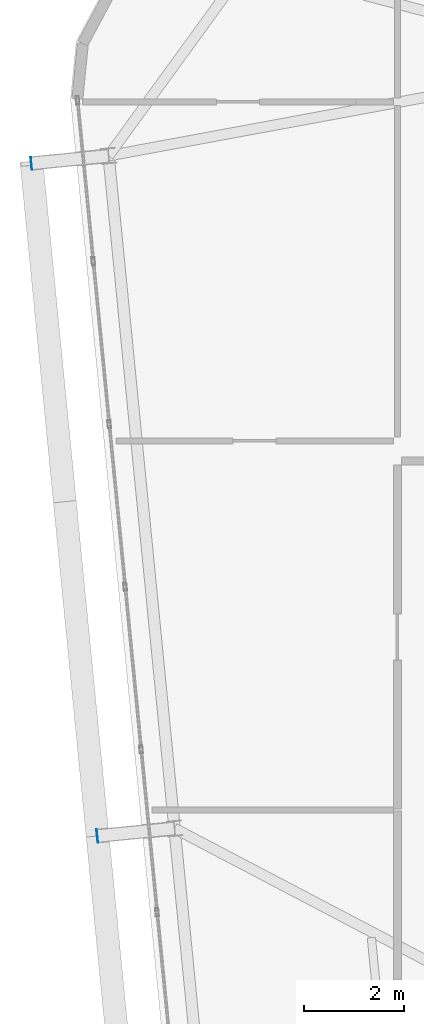
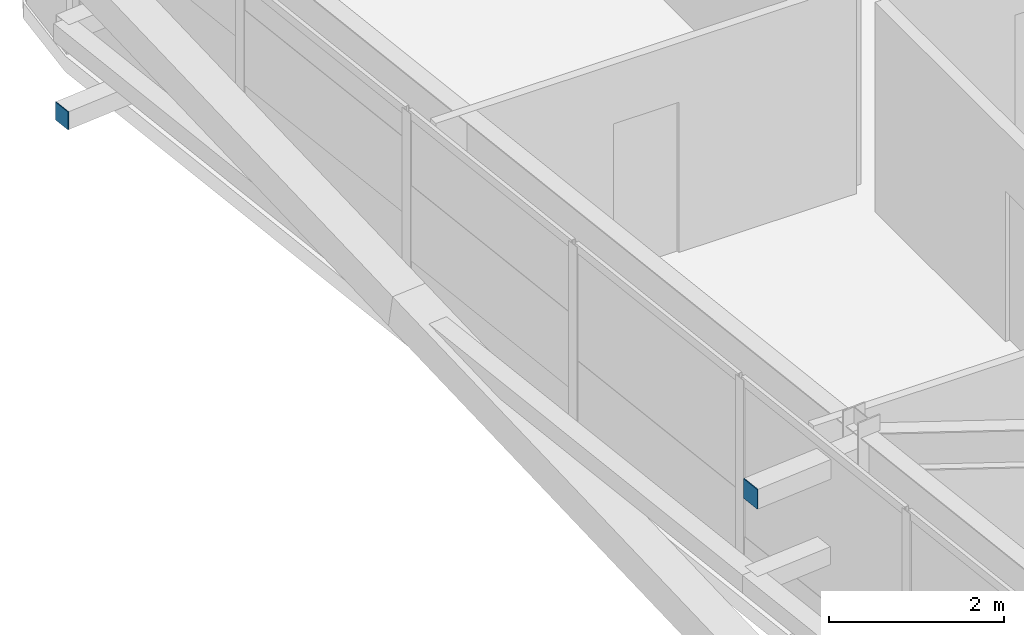
# One storey, part 40 of 52: 2 plates.
"""IFC4 building model written with IfcOpenShell, lengths in metres."""

from ifc_helpers import new_model, si_unit, direction, frame, origin, origin_2d, place, context, subcontext, project, spatial, rectangle, extrude, source, transform, mapped, material, layer, layer_set, type_object, element, save


model = new_model("IFC4")

# Units and contexts
model_context = context("Model", 3, precision=1e-05, world=origin(), true_north=direction((0.0, 1.0)))
body_context = subcontext(model_context, "Body", "Model", "MODEL_VIEW")
ifc_project = project(units=[si_unit("LENGTHUNIT", "METRE"), si_unit("AREAUNIT", "SQUARE_METRE"), si_unit("VOLUMEUNIT", "CUBIC_METRE"), si_unit("PLANEANGLEUNIT", "RADIAN"), si_unit("MASSUNIT", "GRAM", prefix="KILO")], contexts=[model_context])

# Site, building, storey
site_placement = place(None, origin())
site = spatial("IfcSite", under=ifc_project, at=site_placement, CompositionType="ELEMENT")
building_placement = place(site_placement, origin())
building = spatial("IfcBuilding", under=site, at=building_placement, Name="Taldren Reach Tower", CompositionType="ELEMENT")
storey_placement = place(building_placement, frame((0.0, 0.0, 96.60009765625)))
storey = spatial("IfcBuildingStorey", under=building, at=storey_placement, Name="L29", CompositionType="ELEMENT", Elevation=96.60009765625)

# Plates
ifc_material_1 = material(Name="Steel Gr 450 (C450L0)", Category="steel")
ifc_layer_1 = layer(ifc_material_1, 0.011962890625)
ifc_layer_set_1 = layer_set([ifc_layer_1], Name="Steel Gr 450 (C450L0)")
plate_type_1 = type_object("IfcPlateType", Name="PL-CAP-275", PredefinedType="SHEET", material=ifc_layer_set_1)
shared_shape_1 = source(origin(), body_context, "Body", "SweptSolid", [
    extrude(rectangle(XDim=0.011962890625, YDim=0.27490234375, at=origin_2d()), origin(), (0.0, 0.0, 1.0), 0.27490234375),
])
plate_1_placement = place(storey_placement, frame((8.58203125, 16.479248046875, 2.512451171875), z_axis=(0.0, 0.0, 1.0), x_axis=(0.995227399982, 0.097582899759, 0.0)))
element("IfcPlate", 1, at=plate_1_placement, inside=storey, type_object=plate_type_1, Name="Tie strut end cap plate B2-W2 L29", PredefinedType="SHEET", context=body_context, shape_type="MappedRepresentation", body=[
    mapped(shared_shape_1, transform((0.0, 0.0, 0.0), scale=1.0)),
])
ifc_material_2 = material(Name="Steel Gr 350 (C350L0)", Category="steel")
ifc_layer_2 = layer(ifc_material_2, 0.011962890625)
ifc_layer_set_2 = layer_set([ifc_layer_2], Name="Steel Gr 350 (C350L0)")
plate_type_2 = type_object("IfcPlateType", Name="PL-CAP-250", PredefinedType="SHEET", material=ifc_layer_set_2)
shared_shape_2 = source(origin(), body_context, "Body", "SweptSolid", [
    extrude(rectangle(XDim=0.011962890625, YDim=0.25, at=origin_2d()), origin(), (0.0, 0.0, 1.0), 0.25),
])
plate_2_placement = place(storey_placement, frame((7.259765625, 29.964599609375, 0.094970703125), z_axis=(0.0, 0.0, 1.0), x_axis=(0.995227399982, 0.097582899759, 0.0)))
element("IfcPlate", 2, at=plate_2_placement, inside=storey, type_object=plate_type_2, Name="Tie strut end cap plate B2-W3 L29", PredefinedType="SHEET", context=body_context, shape_type="MappedRepresentation", body=[
    mapped(shared_shape_2, transform((0.0, 0.0, 0.0), scale=1.0)),
])

save(model, "model.ifc")
